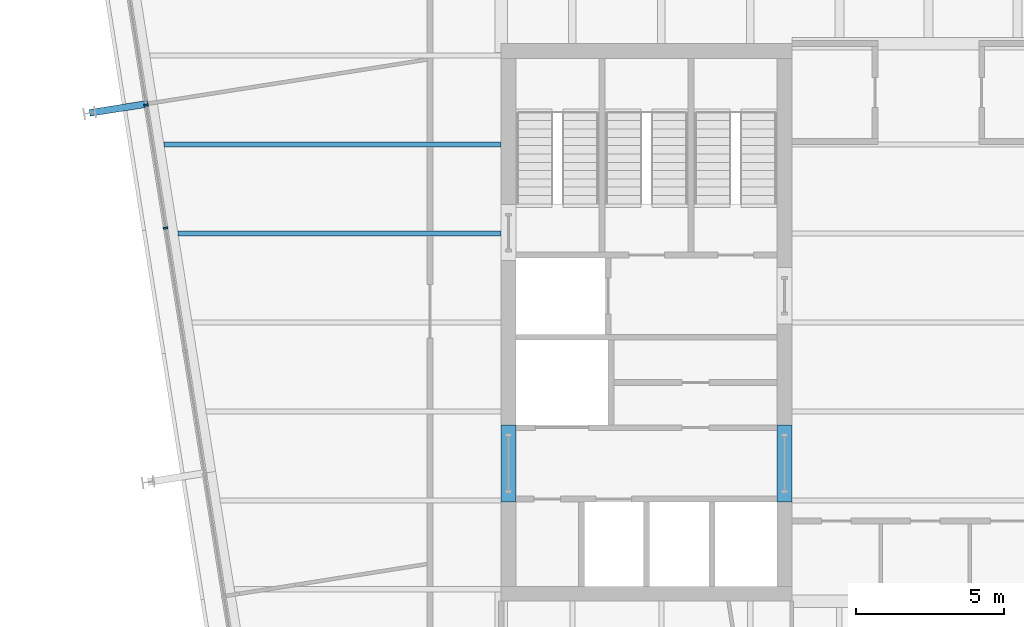
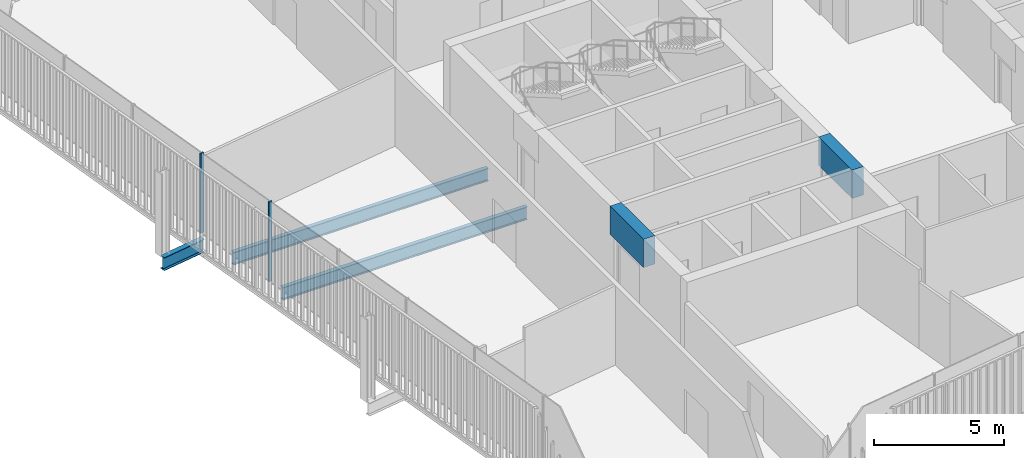
# One storey, part 6 of 20: 5 beams, 2 members, 1 element without a shape of its own.
"""IFC4 building model written with IfcOpenShell, lengths in metres."""

from ifc_helpers import new_model, si_unit, direction, frame, origin, origin_2d, place, context, subcontext, project, spatial, rectangle, i_section, extrude, material, layer, layer_set, material_profile, profile_set, type_object, element, aggregate, save


model = new_model("IFC4")

# Units and contexts
model_context = context("Model", 3, precision=1e-05, world=origin(), true_north=direction((0.0, 1.0)))
body_context = subcontext(model_context, "Body", "Model", "MODEL_VIEW")
ifc_project = project(units=[si_unit("LENGTHUNIT", "METRE"), si_unit("AREAUNIT", "SQUARE_METRE"), si_unit("VOLUMEUNIT", "CUBIC_METRE"), si_unit("PLANEANGLEUNIT", "RADIAN"), si_unit("MASSUNIT", "GRAM", prefix="KILO")], contexts=[model_context])

# Site, building, storey
site_placement = place(None, origin())
site = spatial("IfcSite", under=ifc_project, at=site_placement, CompositionType="ELEMENT")
building_placement = place(site_placement, origin())
building = spatial("IfcBuilding", under=site, at=building_placement, Name="Millrace Tower", CompositionType="ELEMENT")
storey_placement = place(building_placement, frame((0.0, 0.0, 259.10009765625)))
storey = spatial("IfcBuildingStorey", under=building, at=storey_placement, Name="L59", CompositionType="ELEMENT", Elevation=259.10009765625)

# Curtain wall, members
ifc_material_1 = material(Name="Aluminium and glass", Category="aluminium")
ifc_layer = layer(ifc_material_1, 0.14990234375)
ifc_layer_set = layer_set([ifc_layer], Name="Aluminium and glass")
curtain_wall_type = type_object("IfcCurtainWallType", Name="CW-1 office vision curtain wall", PredefinedType="NOTDEFINED", material=ifc_layer_set)
curtain_wall_placement = place(storey_placement, origin())
curtain_wall = element("IfcCurtainWall", 1, at=curtain_wall_placement, inside=storey, type_object=curtain_wall_type, Name="Curtain wall D-F08 L59", PredefinedType="NOTDEFINED")
ifc_material_2 = material(Name="Aluminium", Category="aluminium")
ifc_material_profile_1 = material_profile(ifc_material_2, rectangle(XDim=0.06494140625, YDim=0.14990234375, at=origin_2d()))
ifc_profile_set_1 = profile_set([ifc_material_profile_1], Name="Aluminium")
member_type = type_object("IfcMemberType", Name="CW-1 office vision curtain wall mullion", PredefinedType="MULLION", material=ifc_profile_set_1)
member_1_placement = place(storey_placement, frame((-26.371337890625, 7.33056640625, 0.139892578125), z_axis=(0.0, 0.0, 1.0), x_axis=(0.156434471884, -0.987688339511, 0.0)))
member_1 = element("IfcMember", 2, at=member_1_placement, type_object=member_type, Name="CW1 mullion D-F08.4", PredefinedType="MULLION", context=body_context, shape_type="SweptSolid", body=[
    extrude(rectangle(XDim=0.06494140625, YDim=0.14990234375, at=origin_2d()), origin(), (0.0, 0.0, 1.0), 3.760009765625),
])
member_2_placement = place(storey_placement, frame((-25.71435546875, 3.182373046875, 0.139892578125), z_axis=(0.0, 0.0, 1.0), x_axis=(0.156434471884, -0.987688339511, 0.0)))
member_2 = element("IfcMember", 3, at=member_2_placement, type_object=member_type, Name="CW1 mullion D-F08.5", PredefinedType="MULLION", context=body_context, shape_type="SweptSolid", body=[
    extrude(rectangle(XDim=0.06494140625, YDim=0.14990234375, at=origin_2d()), origin(), (0.0, 0.0, 1.0), 3.760009765625),
])
aggregate(curtain_wall, [member_1, member_2])

# Beams
ifc_material_3 = material(Name="Concrete C60", Category="concrete")
ifc_material_profile_2 = material_profile(ifc_material_3, rectangle(XDim=0.5, YDim=1.340087890625, at=origin_2d()))
ifc_profile_set_2 = profile_set([ifc_material_profile_2], Name="Concrete C60")
beam_type_1 = type_object("IfcBeamType", Name="Coupling beam 500 x 1340 Concrete C60, 2000 opening", PredefinedType="BEAM", material=ifc_profile_set_2)
for number, where, z_axis, x_axis, name in (
    (4, (-14.14990234375, -6.050048828125, 3.06982421875), (0.0, 1.0, 0.0), (-1.0, 0.0, 0.0), "Coupling beam W L59"),
    (5, (-4.85009765625, -6.050048828125, 3.06982421875), (0.0, 1.0, 0.0), (-1.0, 0.0, 0.0), "Coupling beam W L59"),
):
    element("IfcBeam", number, at=place(storey_placement, frame(where, z_axis=z_axis, x_axis=x_axis)), inside=storey, type_object=beam_type_1, Name=name, PredefinedType="BEAM", context=body_context, shape_type="SweptSolid", body=[
        extrude(rectangle(XDim=0.5, YDim=1.340087890625, at=origin_2d()), origin(), (0.0, 0.0, 1.0), 2.60009765625),
    ])
ifc_material_4 = material(Name="Steel ASTM A992 Grade 50", Category="steel")
ifc_material_profile_3 = material_profile(ifc_material_4, i_section(OverallWidth=0.1787109375, OverallDepth=0.60205078125, WebThickness=0.010986328125, FlangeThickness=0.014892578125, FilletRadius=0.0126953125, at=origin_2d()))
ifc_profile_set_3 = profile_set([ifc_material_profile_3], Name="Steel ASTM A992 Grade 50")
beam_type_2 = type_object("IfcBeamType", Name="Floor beam W24x62", PredefinedType="JOIST", material=ifc_profile_set_3)
beam_1_placement = place(storey_placement, frame((-25.29833984375, 3.0, -0.461181640625), z_axis=(1.0, 0.0, 0.0), x_axis=(0.0, 1.0, 0.0)))
element("IfcBeam", 6, at=beam_1_placement, inside=storey, type_object=beam_type_2, Name="BM-D-L59-S1-S018", PredefinedType="JOIST", context=body_context, shape_type="SweptSolid", body=[
    extrude(i_section(OverallWidth=0.1787109375, OverallDepth=0.60205078125, WebThickness=0.010986328125, FlangeThickness=0.014892578125, FilletRadius=0.0126953125, at=origin_2d()), origin(), (0.0, 0.0, 1.0), 10.8984375),
])
beam_2_placement = place(storey_placement, frame((-25.7734375, 6.0, -0.461181640625), z_axis=(1.0, 0.0, 0.0), x_axis=(0.0, 1.0, 0.0)))
element("IfcBeam", 7, at=beam_2_placement, inside=storey, type_object=beam_type_2, Name="BM-D-L59-S1-S021", PredefinedType="JOIST", context=body_context, shape_type="SweptSolid", body=[
    extrude(i_section(OverallWidth=0.1787109375, OverallDepth=0.60205078125, WebThickness=0.010986328125, FlangeThickness=0.014892578125, FilletRadius=0.0126953125, at=origin_2d()), origin(), (0.0, 0.0, 1.0), 11.37353515625),
])
ifc_material_5 = material(Name="Steel ASTM A992 Grade 50", Category="steel")
ifc_material_profile_4 = material_profile(ifc_material_5, i_section(OverallWidth=0.23046875, OverallDepth=0.6171875, WebThickness=0.01318359375, FlangeThickness=0.022216796875, FilletRadius=0.012939453125, at=origin_2d()))
ifc_profile_set_4 = profile_set([ifc_material_profile_4], Name="Steel ASTM A992 Grade 50")
beam_type_3 = type_object("IfcBeamType", Name="Link beam W24x94", PredefinedType="BEAM", material=ifc_profile_set_4)
beam_3_placement = place(storey_placement, frame((-26.302490234375, 7.37451171875, -0.46875), z_axis=(-0.987678691416, -0.156495375404, 0.0), x_axis=(0.156495375404, -0.987678691416, 0.0)))
element("IfcBeam", 8, at=beam_3_placement, inside=storey, type_object=beam_type_3, Name="LNK-D-L59-S1-03", PredefinedType="BEAM", context=body_context, shape_type="SweptSolid", body=[
    extrude(i_section(OverallWidth=0.23046875, OverallDepth=0.6171875, WebThickness=0.01318359375, FlangeThickness=0.022216796875, FilletRadius=0.012939453125, at=origin_2d()), origin(), (0.0, 0.0, 1.0), 2.0),
])

save(model, "model.ifc")
